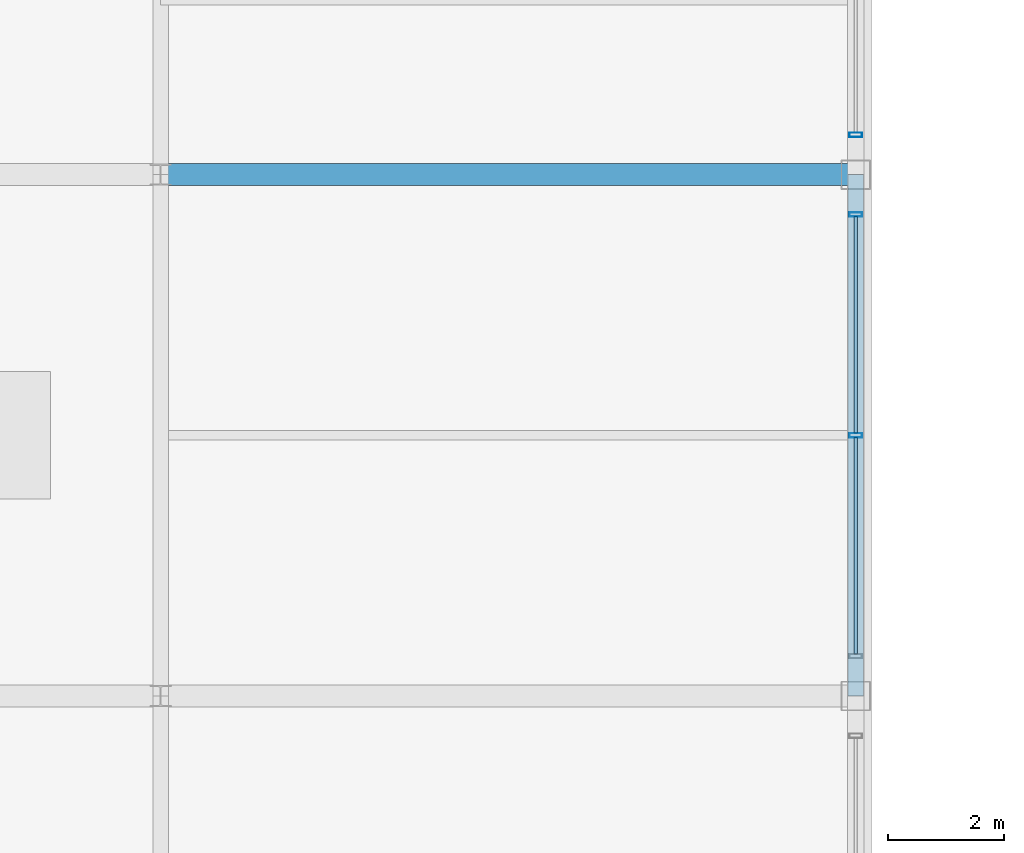
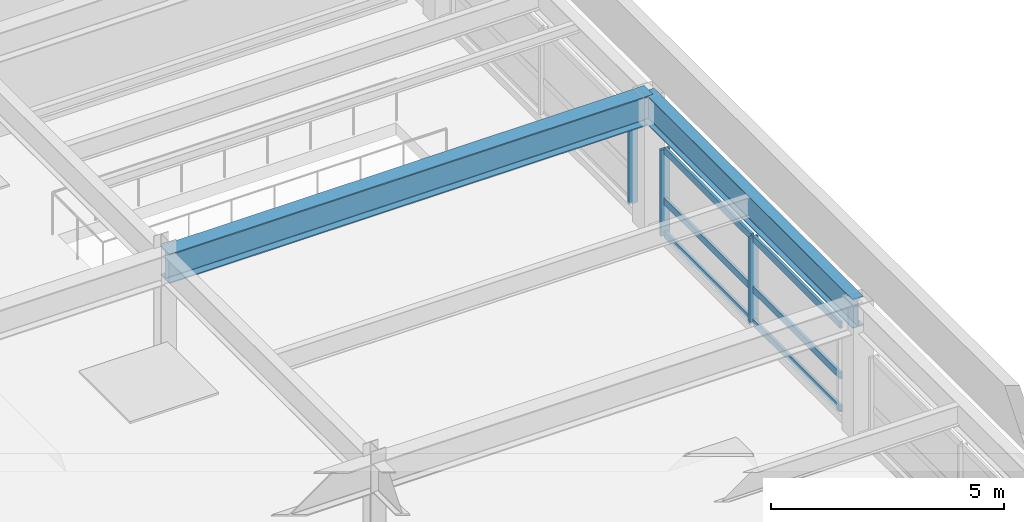
# One storey, part 64 of 108: 9 members, 2 beams, 2 elements without a shape of their own.
"""IFC4 building model written with IfcOpenShell, lengths in metres."""

from ifc_helpers import new_model, si_unit, direction, frame, origin, origin_2d, place, context, subcontext, project, spatial, hollow_rectangle, i_section, extrude, material, material_profile, profile_set, type_object, element, aggregate, save


model = new_model("IFC4")

# Units and contexts
model_context = context("Model", 3, precision=1e-05, world=origin(), true_north=direction((0.0, 1.0)))
body_context = subcontext(model_context, "Body", "Model", "MODEL_VIEW")
ifc_project = project(units=[si_unit("LENGTHUNIT", "METRE"), si_unit("AREAUNIT", "SQUARE_METRE"), si_unit("VOLUMEUNIT", "CUBIC_METRE"), si_unit("PLANEANGLEUNIT", "RADIAN"), si_unit("MASSUNIT", "GRAM", prefix="KILO")], contexts=[model_context])

# Site, building, storey
site_placement = place(None, origin())
site = spatial("IfcSite", under=ifc_project, at=site_placement, CompositionType="ELEMENT")
building_placement = place(site_placement, origin())
building = spatial("IfcBuilding", under=site, at=building_placement, Name="Kaldorvane Square Convention Centre", CompositionType="ELEMENT")
storey_placement = place(building_placement, frame((0.0, 0.0, 23.399993896484375)))
storey = spatial("IfcBuildingStorey", under=building, at=storey_placement, Name="L04", CompositionType="ELEMENT", Elevation=23.399993896484375)

# Beams
ifc_material_1 = material(Name="Steel ASTM A992 Gr. 50", Category="steel")
ifc_material_profile_1 = material_profile(ifc_material_1, i_section(OverallWidth=0.2666015625, OverallDepth=0.762298583984375, WebThickness=0.014404296875, FlangeThickness=0.0216064453125, FilletRadius=0.0164947509765625, at=origin_2d()), Name="W30X116")
ifc_profile_set_1 = profile_set([ifc_material_profile_1], Name="Steel ASTM A992 Gr. 50")
beam_type_1 = type_object("IfcBeamType", Name="BM-GR-W30X116", PredefinedType="BEAM", material=ifc_profile_set_1)
beam_1_placement = place(storey_placement, frame((138.0, 54.0, 3.144805908203125), z_axis=(0.0, 1.0, 0.0), x_axis=(-1.0, 0.0, 0.0)))
element("IfcBeam", 1, at=beam_1_placement, inside=storey, type_object=beam_type_1, Name="Transverse Girder (L04)", PredefinedType="BEAM", context=body_context, shape_type="SweptSolid", body=[
    extrude(i_section(OverallWidth=0.2666015625, OverallDepth=0.762298583984375, WebThickness=0.014404296875, FlangeThickness=0.0216064453125, FilletRadius=0.0164947509765625, at=origin_2d()), origin(), (0.0, 0.0, 1.0), 9.0),
])
ifc_material_profile_2 = material_profile(ifc_material_1, i_section(OverallWidth=0.380706787109375, OverallDepth=0.773193359375, WebThickness=0.0166015625, FlangeThickness=0.027099609375, FilletRadius=0.0164947509765625, at=origin_2d()), Name="W30X173")
ifc_profile_set_2 = profile_set([ifc_material_profile_2], Name="Steel ASTM A992 Gr. 50")
beam_type_2 = type_object("IfcBeamType", Name="BM-GR-W30X173", PredefinedType="BEAM", material=ifc_profile_set_2)
beam_2_placement = place(storey_placement, frame((126.0, 63.0, 3.139404296875), z_axis=(1.0, 0.0, 0.0), x_axis=(0.0, 1.0, 0.0)))
element("IfcBeam", 2, at=beam_2_placement, inside=storey, type_object=beam_type_2, Name="Primary Girder (L04)", PredefinedType="BEAM", context=body_context, shape_type="SweptSolid", body=[
    extrude(i_section(OverallWidth=0.380706787109375, OverallDepth=0.773193359375, WebThickness=0.0166015625, FlangeThickness=0.027099609375, FilletRadius=0.0164947509765625, at=origin_2d()), origin(), (0.0, 0.0, 1.0), 12.0),
])

# Curtain wall, members
ifc_material_2 = material(Name="Anodized Aluminum and Low-E Insulated Glazing", Category="aluminium")
curtain_wall_type = type_object("IfcCurtainWallType", Name="CW-PTS-FC-42", PredefinedType="USERDEFINED", material=ifc_material_2)
curtain_wall_1_placement = place(storey_placement, origin())
curtain_wall_1 = element("IfcCurtainWall", 3, at=curtain_wall_1_placement, inside=storey, type_object=curtain_wall_type, Name="Curtain Wall CW-09 (L04)", ObjectType="POINT SUPPORTED GLAZING", PredefinedType="USERDEFINED")
ifc_material_profile_3 = material_profile(ifc_material_2, hollow_rectangle(XDim=0.0749969482421875, YDim=0.220001220703125, WallThickness=0.003997802734375, at=origin_2d()), Name="CWM-220X75")
ifc_profile_set_3 = profile_set([ifc_material_profile_3], Name="Anodized Aluminum and Low-E Insulated Glazing")
member_type_1 = type_object("IfcMemberType", Name="CW-MUL-220", PredefinedType="MULLION", material=ifc_profile_set_3)
member_1_placement = place(storey_placement, frame((138.0, 58.5, 0.1500091552734375), z_axis=(0.0, 0.0, 1.0), x_axis=(0.0, 1.0, 0.0)))
member_1 = element("IfcMember", 4, at=member_1_placement, type_object=member_type_1, Name="CW-09 mullion 2", PredefinedType="MULLION", context=body_context, shape_type="SweptSolid", body=[
    extrude(hollow_rectangle(XDim=0.0749969482421875, YDim=0.220001220703125, WallThickness=0.003997802734375, at=origin_2d()), origin(), (0.0, 0.0, 1.0), 2.2599945068359375),
])
member_2_placement = place(storey_placement, frame((138.0, 62.3125, 0.1500091552734375), z_axis=(0.0, 0.0, 1.0), x_axis=(0.0, 1.0, 0.0)))
member_2 = element("IfcMember", 5, at=member_2_placement, type_object=member_type_1, Name="CW-09 mullion 3", PredefinedType="MULLION", context=body_context, shape_type="SweptSolid", body=[
    extrude(hollow_rectangle(XDim=0.0749969482421875, YDim=0.220001220703125, WallThickness=0.003997802734375, at=origin_2d()), origin(), (0.0, 0.0, 1.0), 2.2599945068359375),
])

# Curtain wall, member
curtain_wall_2_placement = place(storey_placement, origin())
curtain_wall_2 = element("IfcCurtainWall", 6, at=curtain_wall_2_placement, inside=storey, type_object=curtain_wall_type, Name="Curtain Wall CW-09 (L04)", ObjectType="POINT SUPPORTED GLAZING", PredefinedType="USERDEFINED")
member_3_placement = place(storey_placement, frame((138.0, 63.6875, 0.1500091552734375), z_axis=(0.0, 0.0, 1.0), x_axis=(0.0, 1.0, 0.0)))
member_3 = element("IfcMember", 7, at=member_3_placement, type_object=member_type_1, Name="CW-09 mullion 1", PredefinedType="MULLION", context=body_context, shape_type="SweptSolid", body=[
    extrude(hollow_rectangle(XDim=0.0749969482421875, YDim=0.220001220703125, WallThickness=0.003997802734375, at=origin_2d()), origin(), (0.0, 0.0, 1.0), 2.2599945068359375),
])
aggregate(curtain_wall_2, [member_3])

# Member
ifc_material_profile_4 = material_profile(ifc_material_2, hollow_rectangle(XDim=0.06500244140625, YDim=0.17999267578125, WallThickness=0.0034942626953125, at=origin_2d()), Name="CWT-180X65")
ifc_profile_set_4 = profile_set([ifc_material_profile_4], Name="Anodized Aluminum and Low-E Insulated Glazing")
member_type_2 = type_object("IfcMemberType", Name="CW-TRN-180", PredefinedType="USERDEFINED", material=ifc_profile_set_4)
member_4_placement = place(storey_placement, frame((138.0, 54.725006103515625, 0.1825103759765625), z_axis=(0.0, 1.0, 0.0), x_axis=(-1.0, 0.0, 0.0)))
member_4 = element("IfcMember", 8, at=member_4_placement, type_object=member_type_2, Name="CW-09 transom 1.1", ObjectType="TRANSOM", PredefinedType="USERDEFINED", context=body_context, shape_type="SweptSolid", body=[
    extrude(hollow_rectangle(XDim=0.06500244140625, YDim=0.17999267578125, WallThickness=0.0034942626953125, at=origin_2d()), origin(), (0.0, 0.0, 1.0), 3.73748779296875),
])

member_5_placement = place(storey_placement, frame((138.0, 54.725006103515625, 1.0500030517578125), z_axis=(0.0, 1.0, 0.0), x_axis=(-1.0, 0.0, 0.0)))
member_5 = element("IfcMember", 9, at=member_5_placement, type_object=member_type_2, Name="CW-09 transom 1.2", ObjectType="TRANSOM", PredefinedType="USERDEFINED", context=body_context, shape_type="SweptSolid", body=[
    extrude(hollow_rectangle(XDim=0.06500244140625, YDim=0.17999267578125, WallThickness=0.0034942626953125, at=origin_2d()), origin(), (0.0, 0.0, 1.0), 3.73748779296875),
])

member_6_placement = place(storey_placement, frame((138.0, 54.725006103515625, 2.37750244140625), z_axis=(0.0, 1.0, 0.0), x_axis=(-1.0, 0.0, 0.0)))
member_6 = element("IfcMember", 10, at=member_6_placement, type_object=member_type_2, Name="CW-09 transom 1.3", ObjectType="TRANSOM", PredefinedType="USERDEFINED", context=body_context, shape_type="SweptSolid", body=[
    extrude(hollow_rectangle(XDim=0.06500244140625, YDim=0.17999267578125, WallThickness=0.0034942626953125, at=origin_2d()), origin(), (0.0, 0.0, 1.0), 3.73748779296875),
])

member_7_placement = place(storey_placement, frame((138.0, 58.537506103515625, 0.1825103759765625), z_axis=(0.0, 1.0, 0.0), x_axis=(-1.0, 0.0, 0.0)))
member_7 = element("IfcMember", 11, at=member_7_placement, type_object=member_type_2, Name="CW-09 transom 2.1", ObjectType="TRANSOM", PredefinedType="USERDEFINED", context=body_context, shape_type="SweptSolid", body=[
    extrude(hollow_rectangle(XDim=0.06500244140625, YDim=0.17999267578125, WallThickness=0.0034942626953125, at=origin_2d()), origin(), (0.0, 0.0, 1.0), 3.73748779296875),
])

member_8_placement = place(storey_placement, frame((138.0, 58.537506103515625, 1.0500030517578125), z_axis=(0.0, 1.0, 0.0), x_axis=(-1.0, 0.0, 0.0)))
member_8 = element("IfcMember", 12, at=member_8_placement, type_object=member_type_2, Name="CW-09 transom 2.2", ObjectType="TRANSOM", PredefinedType="USERDEFINED", context=body_context, shape_type="SweptSolid", body=[
    extrude(hollow_rectangle(XDim=0.06500244140625, YDim=0.17999267578125, WallThickness=0.0034942626953125, at=origin_2d()), origin(), (0.0, 0.0, 1.0), 3.73748779296875),
])

member_9_placement = place(storey_placement, frame((138.0, 58.537506103515625, 2.37750244140625), z_axis=(0.0, 1.0, 0.0), x_axis=(-1.0, 0.0, 0.0)))
member_9 = element("IfcMember", 13, at=member_9_placement, type_object=member_type_2, Name="CW-09 transom 2.3", ObjectType="TRANSOM", PredefinedType="USERDEFINED", context=body_context, shape_type="SweptSolid", body=[
    extrude(hollow_rectangle(XDim=0.06500244140625, YDim=0.17999267578125, WallThickness=0.0034942626953125, at=origin_2d()), origin(), (0.0, 0.0, 1.0), 3.73748779296875),
])

aggregate(curtain_wall_1, [member_1, member_2, member_4, member_5, member_6, member_7, member_8, member_9])

save(model, "model.ifc")
